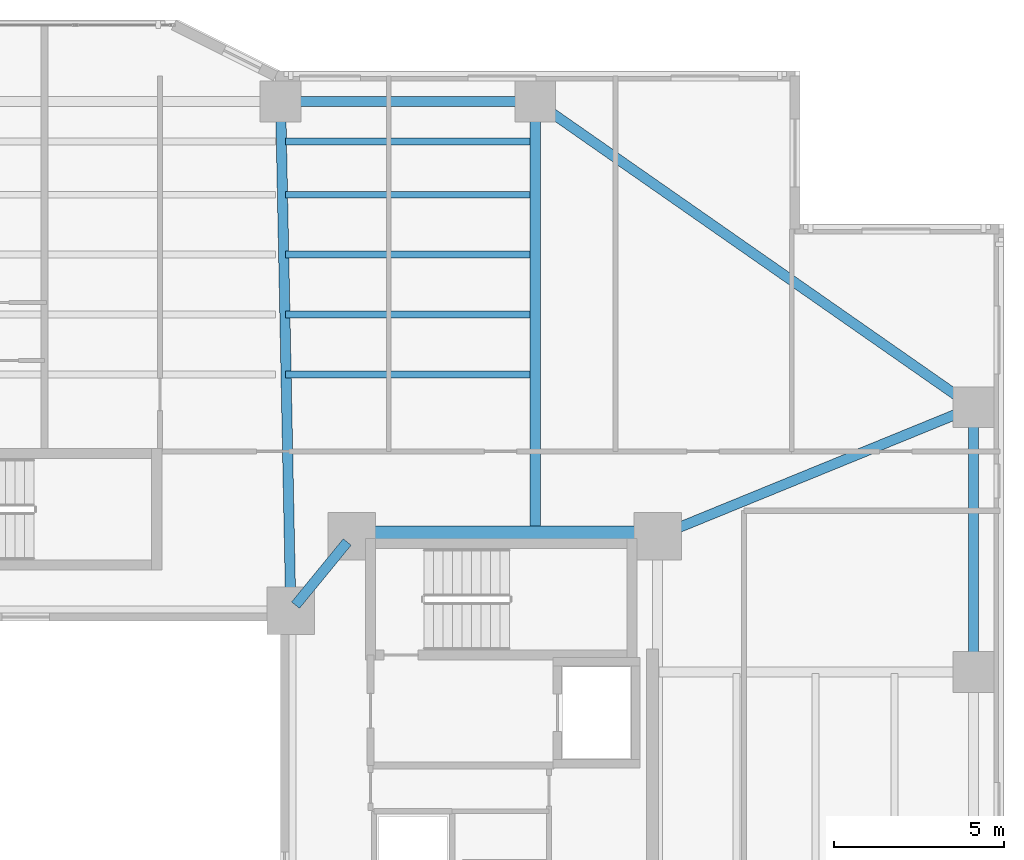
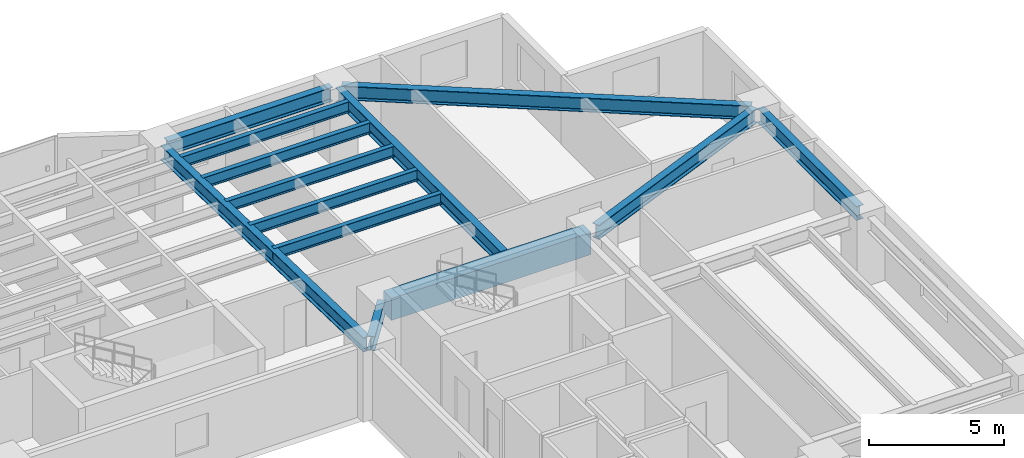
# One storey, part 7 of 21: 13 beams.
"""IFC4 building model written with IfcOpenShell, lengths in metres."""

from ifc_helpers import new_model, si_unit, direction, frame, origin, origin_2d, place, context, subcontext, project, spatial, rectangle, i_section, extrude, material, material_profile, profile_set, type_object, element, save


model = new_model("IFC4")

# Units and contexts
model_context = context("Model", 3, precision=1e-05, world=origin(), true_north=direction((0.0, 1.0)))
body_context = subcontext(model_context, "Body", "Model", "MODEL_VIEW")
ifc_project = project(units=[si_unit("LENGTHUNIT", "METRE"), si_unit("AREAUNIT", "SQUARE_METRE"), si_unit("VOLUMEUNIT", "CUBIC_METRE"), si_unit("PLANEANGLEUNIT", "RADIAN"), si_unit("MASSUNIT", "GRAM", prefix="KILO")], contexts=[model_context])

# Site, building, storey
site_placement = place(None, origin())
site = spatial("IfcSite", under=ifc_project, at=site_placement, CompositionType="ELEMENT")
building_placement = place(site_placement, origin())
building = spatial("IfcBuilding", under=site, at=building_placement, Name="Tarnavaz Court Tower", CompositionType="ELEMENT")
storey_placement = place(building_placement, frame((0.0, 0.0, 40.75)))
storey = spatial("IfcBuildingStorey", under=building, at=storey_placement, Name="L10", CompositionType="ELEMENT", Elevation=40.75)

# Beams
ifc_material_1 = material(Name="Concrete C60/75", Category="concrete")
ifc_material_profile_1 = material_profile(ifc_material_1, rectangle(XDim=0.60009765625, YDim=1.0, at=origin_2d()), Name="RC 600X1000")
ifc_profile_set_1 = profile_set([ifc_material_profile_1], Name="Concrete C60/75")
beam_type_1 = type_object("IfcBeamType", Name="BM-CB1000", PredefinedType="LINTEL", material=ifc_profile_set_1)
beam_1_placement = place(storey_placement, frame((18.3798828125, 10.0, 2.60009765625), z_axis=(-1.0, 0.0, 0.0), x_axis=(0.0, -1.0, 0.0)))
element("IfcBeam", 1, at=beam_1_placement, inside=storey, type_object=beam_type_1, Name="L10 Beam IN-CE-NO-CE-NI", PredefinedType="LINTEL", context=body_context, shape_type="SweptSolid", body=[
    extrude(rectangle(XDim=0.60009765625, YDim=1.0, at=origin_2d()), origin(), (0.0, 0.0, 1.0), 8.559814453125),
])
ifc_material_2 = material(Name="Steel S355", Category="steel")
ifc_material_profile_2 = material_profile(ifc_material_2, i_section(OverallWidth=0.300048828125, OverallDepth=0.64990234375, WebThickness=0.01611328125, FlangeThickness=0.031005859375, FilletRadius=0.027099609375, at=origin_2d()), Name="HEB 650")
ifc_profile_set_2 = profile_set([ifc_material_profile_2], Name="Steel S355")
beam_type_2 = type_object("IfcBeamType", Name="BM-G-HEB650", PredefinedType="USERDEFINED", material=ifc_profile_set_2)
beam_2_placement = place(storey_placement, frame((9.460693359375, 9.82958984375, 2.77490234375), z_axis=(-0.633282058357, -0.773921077735, 0.0), x_axis=(0.773921077735, -0.633282058357, 0.0)))
element("IfcBeam", 2, at=beam_2_placement, inside=storey, type_object=beam_type_2, Name="L10 Beam IN-CE-NI-IW-NE", ObjectType="GIRDER", PredefinedType="USERDEFINED", context=body_context, shape_type="SweptSolid", body=[
    extrude(i_section(OverallWidth=0.300048828125, OverallDepth=0.64990234375, WebThickness=0.01611328125, FlangeThickness=0.031005859375, FilletRadius=0.027099609375, at=origin_2d()), origin(), (0.0, 0.0, 1.0), 2.402587890625),
])
beam_3_placement = place(storey_placement, frame((7.795654296875, 8.02001953125, 2.77490234375), z_axis=(-0.020000023066, 0.999799979535, 0.0), x_axis=(-0.999799979535, -0.020000023066, 0.0)))
element("IfcBeam", 3, at=beam_3_placement, inside=storey, type_object=beam_type_2, Name="L10 Beam RG-03", ObjectType="GIRDER", PredefinedType="USERDEFINED", context=body_context, shape_type="SweptSolid", body=[
    extrude(i_section(OverallWidth=0.300048828125, OverallDepth=0.64990234375, WebThickness=0.01611328125, FlangeThickness=0.031005859375, FilletRadius=0.027099609375, at=origin_2d()), origin(), (0.0, 0.0, 1.0), 14.56298828125),
])
beam_4_placement = place(storey_placement, frame((15.0, 10.0400390625, 2.77490234375), z_axis=(0.0, 1.0, 0.0), x_axis=(-1.0, 0.0, 0.0)))
element("IfcBeam", 4, at=beam_4_placement, inside=storey, type_object=beam_type_2, Name="L10 Beam RG-04", ObjectType="GIRDER", PredefinedType="USERDEFINED", context=body_context, shape_type="SweptSolid", body=[
    extrude(i_section(OverallWidth=0.300048828125, OverallDepth=0.64990234375, WebThickness=0.01611328125, FlangeThickness=0.031005859375, FilletRadius=0.027099609375, at=origin_2d()), origin(), (0.0, 0.0, 1.0), 12.5400390625),
])
beam_5_placement = place(storey_placement, frame((18.8037109375, 10.083251953125, 2.77490234375), z_axis=(0.925704761705, 0.378246869329, 0.0), x_axis=(-0.378246869329, 0.925704761705, 0.0)))
element("IfcBeam", 5, at=beam_5_placement, inside=storey, type_object=beam_type_2, Name="L10 Beam RG-12", ObjectType="GIRDER", PredefinedType="USERDEFINED", context=body_context, shape_type="SweptSolid", body=[
    extrude(i_section(OverallWidth=0.300048828125, OverallDepth=0.64990234375, WebThickness=0.01611328125, FlangeThickness=0.031005859375, FilletRadius=0.027099609375, at=origin_2d()), origin(), (0.0, 0.0, 1.0), 9.606201171875),
])
ifc_material_profile_3 = material_profile(ifc_material_2, i_section(OverallWidth=0.199951171875, OverallDepth=0.5, WebThickness=0.01025390625, FlangeThickness=0.01611328125, FilletRadius=0.02099609375, at=origin_2d()), Name="IPE 500")
ifc_profile_set_3 = profile_set([ifc_material_profile_3], Name="Steel S355")
beam_type_3 = type_object("IfcBeamType", Name="BM-J-IPE500", PredefinedType="JOIST", material=ifc_profile_set_3)
for number, where, z_axis, x_axis, name in (
    (6, (7.64990234375, 14.763916015625, 2.85009765625), (1.0, 0.0, 0.0), (0.0, 1.0, 0.0), "L10 Beam JN1-3"),
    (7, (7.64990234375, 16.528076171875, 2.85009765625), (1.0, 0.0, 0.0), (0.0, 1.0, 0.0), "L10 Beam JN2-3"),
    (8, (7.64990234375, 18.2919921875, 2.85009765625), (1.0, 0.0, 0.0), (0.0, 1.0, 0.0), "L10 Beam JN3-3"),
    (9, (7.64990234375, 20.055908203125, 2.85009765625), (1.0, 0.0, 0.0), (0.0, 1.0, 0.0), "L10 Beam JN4-3"),
    (10, (7.64990234375, 21.6240234375, 2.85009765625), (1.0, 0.0, 0.0), (0.0, 1.0, 0.0), "L10 Beam JN5-3"),
):
    element("IfcBeam", number, at=place(storey_placement, frame(where, z_axis=z_axis, x_axis=x_axis)), inside=storey, type_object=beam_type_3, Name=name, PredefinedType="JOIST", context=body_context, shape_type="SweptSolid", body=[
        extrude(i_section(OverallWidth=0.199951171875, OverallDepth=0.5, WebThickness=0.01025390625, FlangeThickness=0.01611328125, FilletRadius=0.02099609375, at=origin_2d()), origin(), (0.0, 0.0, 1.0), 7.2001953125),
    ])
ifc_material_profile_4 = material_profile(ifc_material_2, i_section(OverallWidth=0.300048828125, OverallDepth=0.639892578125, WebThickness=0.013427734375, FlangeThickness=0.02587890625, FilletRadius=0.027099609375, at=origin_2d()), Name="HEA 650")
ifc_profile_set_4 = profile_set([ifc_material_profile_4], Name="Steel S355")
beam_type_4 = type_object("IfcBeamType", Name="BM-SP-HEA650", PredefinedType="SPANDREL", material=ifc_profile_set_4)
beam_6_placement = place(storey_placement, frame((7.719970703125, 22.800048828125, 2.780029296875), z_axis=(1.0, 0.0, 0.0), x_axis=(0.0, 1.0, 0.0)))
element("IfcBeam", 11, at=beam_6_placement, inside=storey, type_object=beam_type_4, Name="L10 Beam PR-PN-3-PN-4", PredefinedType="SPANDREL", context=body_context, shape_type="SweptSolid", body=[
    extrude(i_section(OverallWidth=0.300048828125, OverallDepth=0.639892578125, WebThickness=0.013427734375, FlangeThickness=0.02587890625, FilletRadius=0.027099609375, at=origin_2d()), origin(), (0.0, 0.0, 1.0), 7.06005859375),
])
beam_7_placement = place(storey_placement, frame((27.89990234375, 6.219970703125, 2.780029296875), z_axis=(0.0, 1.0, 0.0), x_axis=(-1.0, 0.0, 0.0)))
element("IfcBeam", 12, at=beam_7_placement, inside=storey, type_object=beam_type_4, Name="L10 Beam PR-PE-3-PE-4", PredefinedType="SPANDREL", context=body_context, shape_type="SweptSolid", body=[
    extrude(i_section(OverallWidth=0.300048828125, OverallDepth=0.639892578125, WebThickness=0.013427734375, FlangeThickness=0.02587890625, FilletRadius=0.027099609375, at=origin_2d()), origin(), (0.0, 0.0, 1.0), 7.360107421875),
])
beam_8_placement = place(storey_placement, frame((15.180419921875, 22.674072265625, 2.780029296875), z_axis=(0.820123643324, -0.572186341729, 0.0), x_axis=(0.572186341729, 0.820123643324, 0.0)))
element("IfcBeam", 13, at=beam_8_placement, inside=storey, type_object=beam_type_4, Name="L10 Beam PR-PN-4-PE-4", PredefinedType="SPANDREL", context=body_context, shape_type="SweptSolid", body=[
    extrude(i_section(OverallWidth=0.300048828125, OverallDepth=0.639892578125, WebThickness=0.013427734375, FlangeThickness=0.02587890625, FilletRadius=0.027099609375, at=origin_2d()), origin(), (0.0, 0.0, 1.0), 15.289306640625),
])

save(model, "model.ifc")
